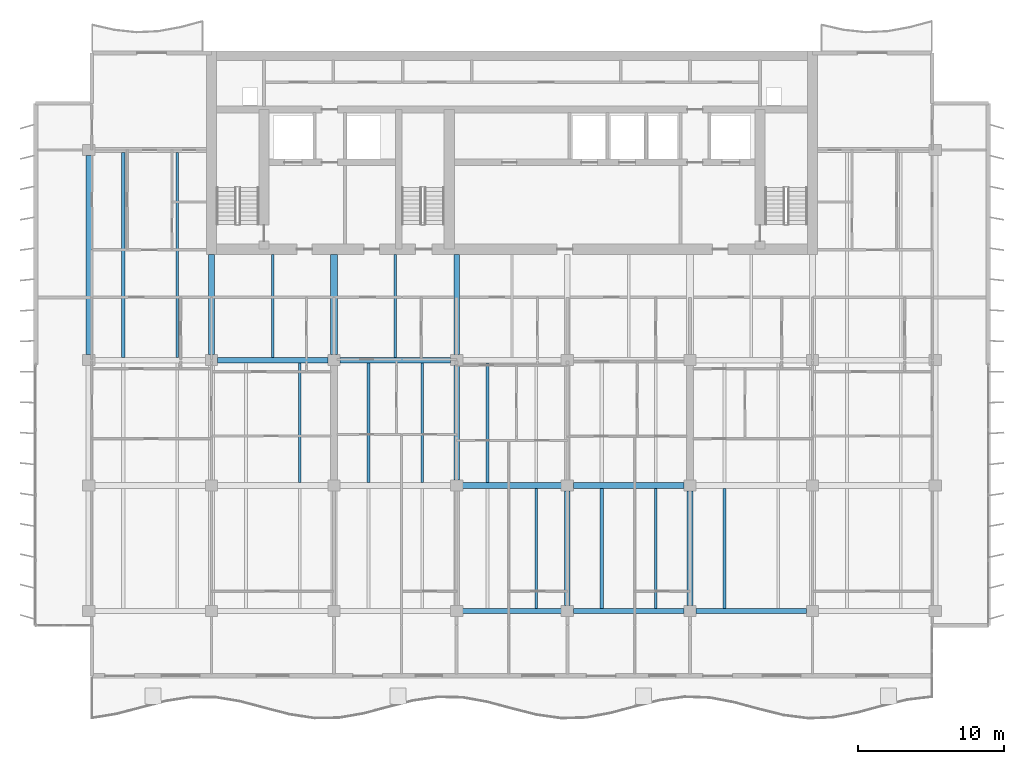
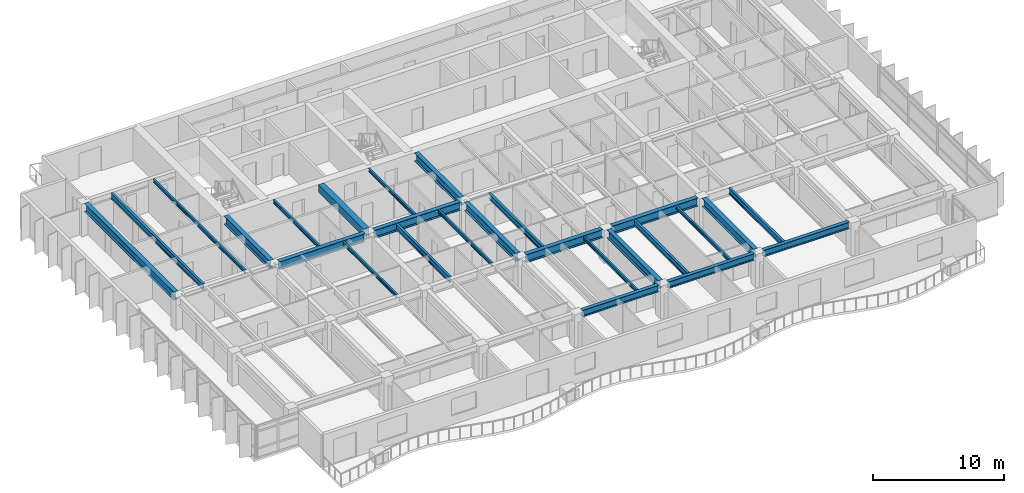
# One storey, part 3 of 19: 26 beams.
"""IFC4 building model written with IfcOpenShell, lengths in metres."""

from ifc_helpers import new_model, si_unit, direction, frame, origin, origin_2d, place, context, subcontext, project, spatial, rectangle, i_section, extrude, material, material_profile, profile_set, type_object, element, save


model = new_model("IFC4")

# Units and contexts
model_context = context("Model", 3, precision=1e-05, world=origin(), true_north=direction((0.0, 1.0)))
body_context = subcontext(model_context, "Body", "Model", "MODEL_VIEW")
ifc_project = project(units=[si_unit("LENGTHUNIT", "METRE"), si_unit("AREAUNIT", "SQUARE_METRE"), si_unit("VOLUMEUNIT", "CUBIC_METRE"), si_unit("PLANEANGLEUNIT", "RADIAN"), si_unit("MASSUNIT", "GRAM", prefix="KILO")], contexts=[model_context])

# Site, building, storey
site_placement = place(None, origin())
site = spatial("IfcSite", under=ifc_project, at=site_placement, CompositionType="ELEMENT")
building_placement = place(site_placement, origin())
building = spatial("IfcBuilding", under=site, at=building_placement, Name="Caelmar Bay Residences", CompositionType="ELEMENT")
storey_placement = place(building_placement, frame((0.0, 0.0, 167.10009765625)))
storey = spatial("IfcBuildingStorey", under=building, at=storey_placement, Name="L46", CompositionType="ELEMENT", Elevation=167.10009765625)

# Beams
ifc_material_1 = material(Name="Steel ASTM A992 Grade 50", Category="steel")
ifc_material_profile_1 = material_profile(ifc_material_1, i_section(OverallWidth=0.381103515625, OverallDepth=0.77197265625, WebThickness=0.0166015625, FlangeThickness=0.027099609375, FilletRadius=0.0166015625, at=origin_2d()), Name="W30X173")
ifc_profile_set_1 = profile_set([ifc_material_profile_1], Name="Steel ASTM A992 Grade 50")
beam_type_1 = type_object("IfcBeamType", Name="BM-GRD-W30X173", PredefinedType="BEAM", material=ifc_profile_set_1)
beam_1_placement = place(storey_placement, frame((35.514892578125, 20.800048828125, 2.663818359375), z_axis=(1.0, 0.0, 0.0), x_axis=(0.0, 1.0, 0.0)))
element("IfcBeam", 1, at=beam_1_placement, inside=storey, type_object=beam_type_1, Name="L46 East-West Girder Y=20.80 (35.1-42.7)", PredefinedType="BEAM", context=body_context, shape_type="SweptSolid", body=[
    extrude(i_section(OverallWidth=0.381103515625, OverallDepth=0.77197265625, WebThickness=0.0166015625, FlangeThickness=0.027099609375, FilletRadius=0.0166015625, at=origin_2d()), origin(), (0.0, 0.0, 1.0), 6.77001953125),
])
beam_2_placement = place(storey_placement, frame((43.114990234375, 20.800048828125, 2.663818359375), z_axis=(1.0, 0.0, 0.0), x_axis=(0.0, 1.0, 0.0)))
element("IfcBeam", 2, at=beam_2_placement, inside=storey, type_object=beam_type_1, Name="L46 East-West Girder Y=20.80 (42.7-51.1)", PredefinedType="BEAM", context=body_context, shape_type="SweptSolid", body=[
    extrude(i_section(OverallWidth=0.381103515625, OverallDepth=0.77197265625, WebThickness=0.0166015625, FlangeThickness=0.027099609375, FilletRadius=0.0166015625, at=origin_2d()), origin(), (0.0, 0.0, 1.0), 7.570068359375),
])
beam_3_placement = place(storey_placement, frame((18.715087890625, 29.39990234375, 2.663818359375), z_axis=(1.0, 0.0, 0.0), x_axis=(0.0, 1.0, 0.0)))
element("IfcBeam", 3, at=beam_3_placement, inside=storey, type_object=beam_type_1, Name="L46 East-West Girder Y=29.40 (18.3-26.7)", PredefinedType="BEAM", context=body_context, shape_type="SweptSolid", body=[
    extrude(i_section(OverallWidth=0.381103515625, OverallDepth=0.77197265625, WebThickness=0.0166015625, FlangeThickness=0.027099609375, FilletRadius=0.0166015625, at=origin_2d()), origin(), (0.0, 0.0, 1.0), 7.56982421875),
])
beam_4_placement = place(storey_placement, frame((27.114990234375, 29.39990234375, 2.663818359375), z_axis=(1.0, 0.0, 0.0), x_axis=(0.0, 1.0, 0.0)))
element("IfcBeam", 4, at=beam_4_placement, inside=storey, type_object=beam_type_1, Name="L46 East-West Girder Y=29.40 (26.7-35.1)", PredefinedType="BEAM", context=body_context, shape_type="SweptSolid", body=[
    extrude(i_section(OverallWidth=0.381103515625, OverallDepth=0.77197265625, WebThickness=0.0166015625, FlangeThickness=0.027099609375, FilletRadius=0.0166015625, at=origin_2d()), origin(), (0.0, 0.0, 1.0), 7.570068359375),
])
beam_5_placement = place(storey_placement, frame((9.89990234375, 29.764892578125, 2.663818359375), z_axis=(0.0, 1.0, 0.0), x_axis=(-1.0, 0.0, 0.0)))
element("IfcBeam", 5, at=beam_5_placement, inside=storey, type_object=beam_type_1, Name="L46 North-South Girder X=9.90 (29.4-43.8)", PredefinedType="BEAM", context=body_context, shape_type="SweptSolid", body=[
    extrude(i_section(OverallWidth=0.381103515625, OverallDepth=0.77197265625, WebThickness=0.0166015625, FlangeThickness=0.027099609375, FilletRadius=0.0166015625, at=origin_2d()), origin(), (0.0, 0.0, 1.0), 13.670166015625),
])
for number, where, z_axis, x_axis, name in (
    (6, (18.300048828125, 29.764892578125, 2.663818359375), (0.0, 1.0, 0.0), (-1.0, 0.0, 0.0), "L46 Core Tie Girder X=18.30"),
    (7, (35.10009765625, 29.764892578125, 2.663818359375), (0.0, 1.0, 0.0), (-1.0, 0.0, 0.0), "L46 Core Tie Girder X=35.10"),
):
    element("IfcBeam", number, at=place(storey_placement, frame(where, z_axis=z_axis, x_axis=x_axis)), inside=storey, type_object=beam_type_1, Name=name, PredefinedType="BEAM", context=body_context, shape_type="SweptSolid", body=[
        extrude(i_section(OverallWidth=0.381103515625, OverallDepth=0.77197265625, WebThickness=0.0166015625, FlangeThickness=0.027099609375, FilletRadius=0.0166015625, at=origin_2d()), origin(), (0.0, 0.0, 1.0), 6.885009765625),
    ])
beam_6_placement = place(storey_placement, frame((35.10009765625, 21.1650390625, 2.663818359375), z_axis=(0.0, 1.0, 0.0), x_axis=(-1.0, 0.0, 0.0)))
element("IfcBeam", 8, at=beam_6_placement, inside=storey, type_object=beam_type_1, Name="L46 North-South Girder X=35.10 (20.8-29.4)", PredefinedType="BEAM", context=body_context, shape_type="SweptSolid", body=[
    extrude(i_section(OverallWidth=0.381103515625, OverallDepth=0.77197265625, WebThickness=0.0166015625, FlangeThickness=0.027099609375, FilletRadius=0.0166015625, at=origin_2d()), origin(), (0.0, 0.0, 1.0), 7.869873046875),
])
for number, where, z_axis, x_axis, name in (
    (9, (42.699951171875, 12.56494140625, 2.663818359375), (0.0, 1.0, 0.0), (-1.0, 0.0, 0.0), "L46 North-South Girder X=42.70 (12.2-20.8)"),
    (10, (51.10009765625, 12.56494140625, 2.663818359375), (0.0, 1.0, 0.0), (-1.0, 0.0, 0.0), "L46 North-South Girder X=51.10 (12.2-20.8)"),
):
    element("IfcBeam", number, at=place(storey_placement, frame(where, z_axis=z_axis, x_axis=x_axis)), inside=storey, type_object=beam_type_1, Name=name, PredefinedType="BEAM", context=body_context, shape_type="SweptSolid", body=[
        extrude(i_section(OverallWidth=0.381103515625, OverallDepth=0.77197265625, WebThickness=0.0166015625, FlangeThickness=0.027099609375, FilletRadius=0.0166015625, at=origin_2d()), origin(), (0.0, 0.0, 1.0), 7.8701171875),
    ])
ifc_material_profile_2 = material_profile(ifc_material_1, i_section(OverallWidth=0.1650390625, OverallDepth=0.31005859375, WebThickness=0.005859375, FlangeThickness=0.009765625, FilletRadius=0.007568359375, at=origin_2d()), Name="W12X26")
ifc_profile_set_2 = profile_set([ifc_material_profile_2], Name="Steel ASTM A992 Grade 50")
beam_type_2 = type_object("IfcBeamType", Name="BM-JST-W12X26", PredefinedType="JOIST", material=ifc_profile_set_2)
for number, where, z_axis, x_axis, name in (
    (11, (40.572021484375, 12.362548828125, 2.89501953125), (0.0, 1.0, 0.0), (-1.0, 0.0, 0.0), "L46 Composite Floor Joist 8"),
    (12, (48.748046875, 12.362548828125, 2.89501953125), (0.0, 1.0, 0.0), (-1.0, 0.0, 0.0), "L46 Composite Floor Joist 10"),
):
    element("IfcBeam", number, at=place(storey_placement, frame(where, z_axis=z_axis, x_axis=x_axis)), inside=storey, type_object=beam_type_2, Name=name, PredefinedType="JOIST", context=body_context, shape_type="SweptSolid", body=[
        extrude(i_section(OverallWidth=0.1650390625, OverallDepth=0.31005859375, WebThickness=0.005859375, FlangeThickness=0.009765625, FilletRadius=0.007568359375, at=origin_2d()), origin(), (0.0, 0.0, 1.0), 8.2470703125),
    ])
for number, where, z_axis, x_axis, name in (
    (13, (24.347900390625, 20.990478515625, 2.89501953125), (0.0, 1.0, 0.0), (-1.0, 0.0, 0.0), "L46 Composite Floor Joist 18"),
    (14, (32.748046875, 20.990478515625, 2.89501953125), (0.0, 1.0, 0.0), (-1.0, 0.0, 0.0), "L46 Composite Floor Joist 20"),
):
    element("IfcBeam", number, at=place(storey_placement, frame(where, z_axis=z_axis, x_axis=x_axis)), inside=storey, type_object=beam_type_2, Name=name, PredefinedType="JOIST", context=body_context, shape_type="SweptSolid", body=[
        extrude(i_section(OverallWidth=0.1650390625, OverallDepth=0.31005859375, WebThickness=0.005859375, FlangeThickness=0.009765625, FilletRadius=0.007568359375, at=origin_2d()), origin(), (0.0, 0.0, 1.0), 8.218994140625),
    ])
for number, where, z_axis, x_axis, name in (
    (15, (22.5, 29.590576171875, 2.89501953125), (0.0, 1.0, 0.0), (-1.0, 0.0, 0.0), "L46 Core-Band Composite Joist 29"),
    (16, (30.89990234375, 29.590576171875, 2.89501953125), (0.0, 1.0, 0.0), (-1.0, 0.0, 0.0), "L46 Core-Band Composite Joist 30"),
):
    element("IfcBeam", number, at=place(storey_placement, frame(where, z_axis=z_axis, x_axis=x_axis)), inside=storey, type_object=beam_type_2, Name=name, PredefinedType="JOIST", context=body_context, shape_type="SweptSolid", body=[
        extrude(i_section(OverallWidth=0.1650390625, OverallDepth=0.31005859375, WebThickness=0.005859375, FlangeThickness=0.009765625, FilletRadius=0.007568359375, at=origin_2d()), origin(), (0.0, 0.0, 1.0), 7.059326171875),
    ])
beam_7_placement = place(storey_placement, frame((15.947998046875, 29.590576171875, 2.89501953125), z_axis=(0.0, 1.0, 0.0), x_axis=(-1.0, 0.0, 0.0)))
element("IfcBeam", 17, at=beam_7_placement, inside=storey, type_object=beam_type_2, Name="L46 Composite Floor Joist 35", PredefinedType="JOIST", context=body_context, shape_type="SweptSolid", body=[
    extrude(i_section(OverallWidth=0.1650390625, OverallDepth=0.31005859375, WebThickness=0.005859375, FlangeThickness=0.009765625, FilletRadius=0.007568359375, at=origin_2d()), origin(), (0.0, 0.0, 1.0), 14.046875),
])
ifc_material_profile_3 = material_profile(ifc_material_1, i_section(OverallWidth=0.2099609375, OverallDepth=0.535888671875, WebThickness=0.010986328125, FlangeThickness=0.017333984375, FilletRadius=0.0126953125, at=origin_2d()), Name="W21X68")
ifc_profile_set_3 = profile_set([ifc_material_profile_3], Name="Steel ASTM A992 Grade 50")
beam_type_3 = type_object("IfcBeamType", Name="BM-JST-W21X68", PredefinedType="JOIST", material=ifc_profile_set_3)
for number, where, z_axis, x_axis, name in (
    (18, (45.052001953125, 12.362548828125, 2.781982421875), (0.0, 1.0, 0.0), (-1.0, 0.0, 0.0), "L46 Composite Floor Joist 9"),
    (19, (53.451904296875, 12.362548828125, 2.781982421875), (0.0, 1.0, 0.0), (-1.0, 0.0, 0.0), "L46 Composite Floor Joist 11"),
):
    element("IfcBeam", number, at=place(storey_placement, frame(where, z_axis=z_axis, x_axis=x_axis)), inside=storey, type_object=beam_type_3, Name=name, PredefinedType="JOIST", context=body_context, shape_type="SweptSolid", body=[
        extrude(i_section(OverallWidth=0.2099609375, OverallDepth=0.535888671875, WebThickness=0.010986328125, FlangeThickness=0.017333984375, FilletRadius=0.0126953125, at=origin_2d()), origin(), (0.0, 0.0, 1.0), 8.2470703125),
    ])
for number, where, z_axis, x_axis, name in (
    (20, (29.052001953125, 20.990478515625, 2.781982421875), (0.0, 1.0, 0.0), (-1.0, 0.0, 0.0), "L46 Composite Floor Joist 19"),
    (21, (37.22802734375, 20.990478515625, 2.781982421875), (0.0, 1.0, 0.0), (-1.0, 0.0, 0.0), "L46 Composite Floor Joist 21"),
):
    element("IfcBeam", number, at=place(storey_placement, frame(where, z_axis=z_axis, x_axis=x_axis)), inside=storey, type_object=beam_type_3, Name=name, PredefinedType="JOIST", context=body_context, shape_type="SweptSolid", body=[
        extrude(i_section(OverallWidth=0.2099609375, OverallDepth=0.535888671875, WebThickness=0.010986328125, FlangeThickness=0.017333984375, FilletRadius=0.0126953125, at=origin_2d()), origin(), (0.0, 0.0, 1.0), 8.218994140625),
    ])
beam_8_placement = place(storey_placement, frame((12.251953125, 29.590576171875, 2.781982421875), z_axis=(0.0, 1.0, 0.0), x_axis=(-1.0, 0.0, 0.0)))
element("IfcBeam", 22, at=beam_8_placement, inside=storey, type_object=beam_type_3, Name="L46 Composite Floor Joist 34", PredefinedType="JOIST", context=body_context, shape_type="SweptSolid", body=[
    extrude(i_section(OverallWidth=0.2099609375, OverallDepth=0.535888671875, WebThickness=0.010986328125, FlangeThickness=0.017333984375, FilletRadius=0.0126953125, at=origin_2d()), origin(), (0.0, 0.0, 1.0), 14.046875),
])
ifc_material_2 = material(Name="Concrete f'c 55 MPa (8,000 psi)", Category="concrete")
ifc_material_profile_4 = material_profile(ifc_material_2, rectangle(XDim=0.5, YDim=0.699951171875, at=origin_2d()), Name="RC-BM-500X700")
ifc_profile_set_4 = profile_set([ifc_material_profile_4], Name="Concrete f'c 55 MPa (8,000 psi)")
beam_type_4 = type_object("IfcBeamType", Name="BM-RC-500X700", PredefinedType="LINTEL", material=ifc_profile_set_4)
beam_9_placement = place(storey_placement, frame((26.699951171875, 29.764892578125, 2.699951171875), z_axis=(0.0, 1.0, 0.0), x_axis=(-1.0, 0.0, 0.0)))
element("IfcBeam", 23, at=beam_9_placement, inside=storey, type_object=beam_type_4, Name="L46 Shear-Wall Corridor Coupling Lintel W5", PredefinedType="LINTEL", context=body_context, shape_type="SweptSolid", body=[
    extrude(rectangle(XDim=0.5, YDim=0.699951171875, at=origin_2d()), origin(), (0.0, 0.0, 1.0), 6.885009765625),
])
ifc_material_profile_5 = material_profile(ifc_material_1, i_section(OverallWidth=0.324951171875, OverallDepth=0.616943359375, WebThickness=0.013916015625, FlangeThickness=0.021484375, FilletRadius=0.0126953125, at=origin_2d()), Name="W24X117")
ifc_profile_set_5 = profile_set([ifc_material_profile_5], Name="Steel ASTM A992 Grade 50")
beam_type_5 = type_object("IfcBeamType", Name="BM-SPN-W24X117", PredefinedType="SPANDREL", material=ifc_profile_set_5)
beam_10_placement = place(storey_placement, frame((35.514892578125, 12.199951171875, 2.741455078125), z_axis=(1.0, 0.0, 0.0), x_axis=(0.0, 1.0, 0.0)))
element("IfcBeam", 24, at=beam_10_placement, inside=storey, type_object=beam_type_5, Name="L46 East-West Girder Y=12.20 (35.1-42.7)", PredefinedType="SPANDREL", context=body_context, shape_type="SweptSolid", body=[
    extrude(i_section(OverallWidth=0.324951171875, OverallDepth=0.616943359375, WebThickness=0.013916015625, FlangeThickness=0.021484375, FilletRadius=0.0126953125, at=origin_2d()), origin(), (0.0, 0.0, 1.0), 6.77001953125),
])
for number, where, z_axis, x_axis, name in (
    (25, (43.114990234375, 12.199951171875, 2.741455078125), (1.0, 0.0, 0.0), (0.0, 1.0, 0.0), "L46 East-West Girder Y=12.20 (42.7-51.1)"),
    (26, (51.514892578125, 12.199951171875, 2.741455078125), (1.0, 0.0, 0.0), (0.0, 1.0, 0.0), "L46 East-West Girder Y=12.20 (51.1-59.5)"),
):
    element("IfcBeam", number, at=place(storey_placement, frame(where, z_axis=z_axis, x_axis=x_axis)), inside=storey, type_object=beam_type_5, Name=name, PredefinedType="SPANDREL", context=body_context, shape_type="SweptSolid", body=[
        extrude(i_section(OverallWidth=0.324951171875, OverallDepth=0.616943359375, WebThickness=0.013916015625, FlangeThickness=0.021484375, FilletRadius=0.0126953125, at=origin_2d()), origin(), (0.0, 0.0, 1.0), 7.570068359375),
    ])

save(model, "model.ifc")
